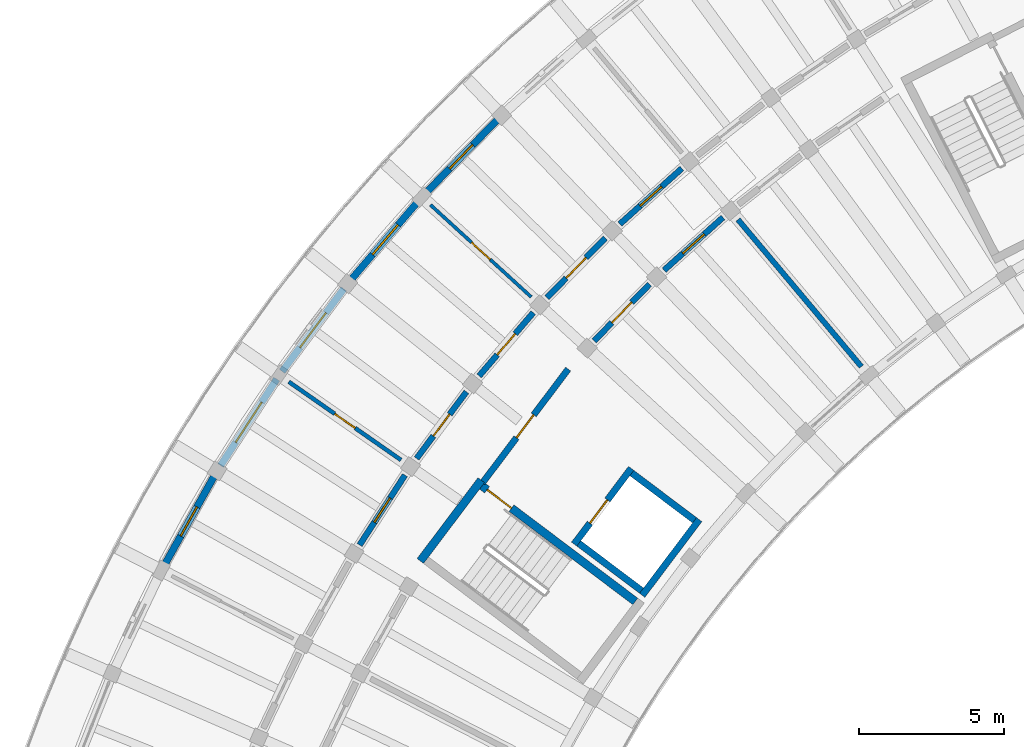
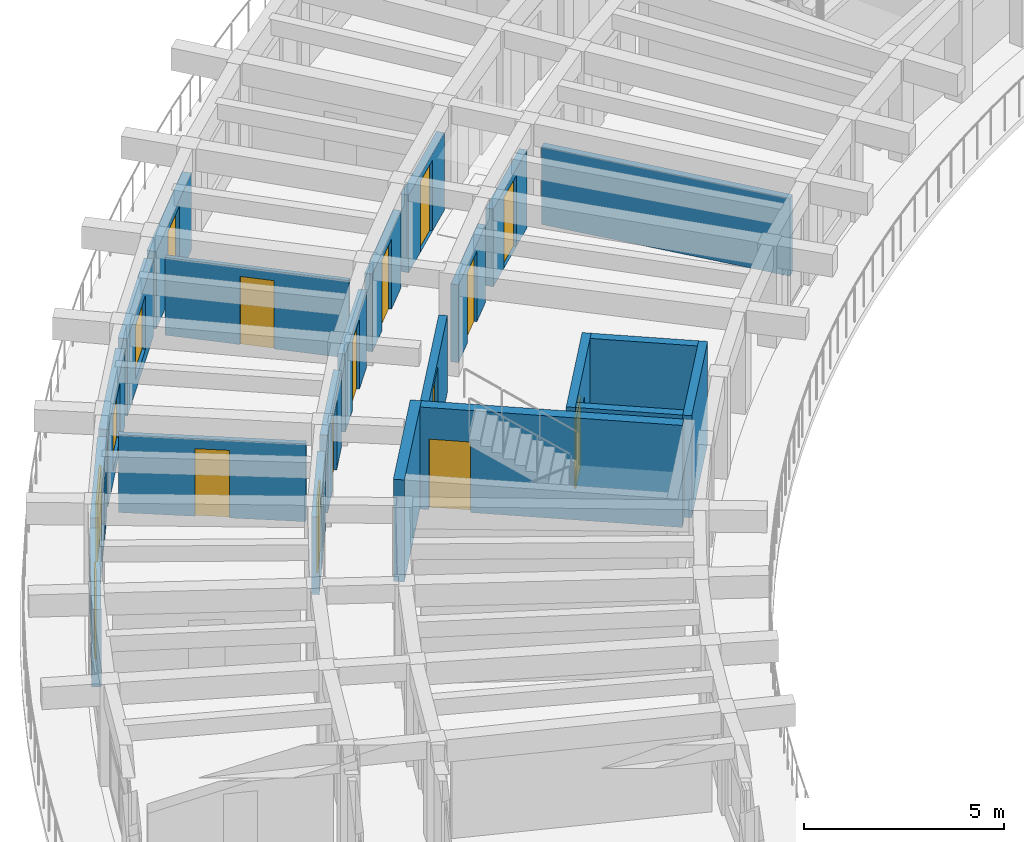
# One storey, part 47 of 83: 22 walls, 14 doors, 3 windows, 17 openings.
"""IFC4 building model written with IfcOpenShell, lengths in metres."""

import ifcopenshell
import ifcopenshell.guid

model = None  # the IFC model being written
_history = None  # IfcOwnerHistory: only IFC2X3 demands one
_inside = {}  # id of a spatial element -> (the spatial element, [elements in it])
_under = {}  # id of a project, library or spatial element -> (it, [spatial elements below it])
_declared = {}  # id of a project -> (the project, [libraries it declares])
_typed = {}  # id of a type object -> (the type object, [elements of that type])
_made_of = {}  # id of a material, layer set ... -> (it, [elements and type objects made of it])


def new_model(schema):
    """Start an empty IFC model of exactly this schema.

    Asked for "IFC4X3", IfcOpenShell would pick the latest addendum, in which some entities
    have other attributes; the version numbers below select the first issue.
    IFC2X3 requires an IfcOwnerHistory on every rooted entity: one is made here for all.
    """
    global model, _history
    if schema == "IFC4X3":
        model = ifcopenshell.file(schema_version=(4, 3, 0, 0))
    else:
        model = ifcopenshell.file(schema=schema)
    _inside.clear()
    _under.clear()
    _declared.clear()
    _typed.clear()
    _made_of.clear()
    _history = None
    if model.schema == "IFC2X3":
        org = make("IfcOrganization", Name="unknown")
        user = make(
            "IfcPersonAndOrganization",
            ThePerson=make("IfcPerson", FamilyName="unknown"),
            TheOrganization=org,
        )
        app = make(
            "IfcApplication",
            ApplicationDeveloper=org,
            Version="unknown",
            ApplicationFullName="unknown",
            ApplicationIdentifier="unknown",
        )
        _history = make(
            "IfcOwnerHistory",
            OwningUser=user,
            OwningApplication=app,
            ChangeAction="ADDED",
            CreationDate=0,
        )
    return model


def make(cls, **values):
    """One entity of the class cls with the attributes given. An attribute that is None is left unset."""
    return model.create_entity(
        cls, **{name: value for name, value in values.items() if value is not None}
    )


def rooted(cls, **values):
    """An entity with a GlobalId (a new one), such as an element, a storey or a relation."""
    return make(cls, GlobalId=ifcopenshell.guid.new(), OwnerHistory=_history, **values)


def si_unit(unit_type, name, prefix=None):
    """IfcSIUnit, for example si_unit("LENGTHUNIT", "METRE", prefix="MILLI")."""
    return make("IfcSIUnit", UnitType=unit_type, Prefix=prefix, Name=name)


def assignment(units):
    """IfcUnitAssignment: the units of a project."""
    return None if units is None else make("IfcUnitAssignment", Units=units)


def point(xyz):
    """IfcCartesianPoint."""
    return None if xyz is None else make("IfcCartesianPoint", Coordinates=xyz)


def direction(xyz):
    """IfcDirection."""
    return None if xyz is None else make("IfcDirection", DirectionRatios=xyz)


def frame(location, z_axis=None, x_axis=None):
    """IfcAxis2Placement3D, a coordinate frame: its origin and axes. An axis left out is left unset."""
    return make(
        "IfcAxis2Placement3D",
        Location=point(location),
        Axis=direction(z_axis),
        RefDirection=direction(x_axis),
    )


def frame_2d(location, x_axis=None):
    """IfcAxis2Placement2D, a coordinate frame in the plane: its origin and x axis."""
    return make(
        "IfcAxis2Placement2D", Location=point(location), RefDirection=direction(x_axis)
    )


def origin():
    """The frame at (0, 0, 0) with its axes left unset."""
    return frame((0.0, 0.0, 0.0))


def place(relative_to, where):
    """IfcLocalPlacement: puts the frame where relative to a parent placement (None: the world)."""
    return make(
        "IfcLocalPlacement", PlacementRelTo=relative_to, RelativePlacement=where
    )


def context(
    kind, dimensions, precision=None, world=None, true_north=None, identifier=None
):
    """IfcGeometricRepresentationContext, for example the 3D "Model" context."""
    return make(
        "IfcGeometricRepresentationContext",
        ContextIdentifier=identifier,
        ContextType=kind,
        CoordinateSpaceDimension=dimensions,
        Precision=precision,
        WorldCoordinateSystem=world,
        TrueNorth=true_north,
    )


def subcontext(parent, identifier, kind, view, scale=None):
    """IfcGeometricRepresentationSubContext, for example "Body" below "Model"."""
    return make(
        "IfcGeometricRepresentationSubContext",
        ContextIdentifier=identifier,
        ContextType=kind,
        ParentContext=parent,
        TargetScale=scale,
        TargetView=view,
    )


def project(units=None, contexts=None):
    """IfcProject with its units and contexts."""
    return rooted(
        "IfcProject",
        Name="project",
        RepresentationContexts=contexts,
        UnitsInContext=assignment(units),
    )


def spatial(cls, under=None, at=None, **own):
    """A site, building, storey or space (cls), placed at a placement, below another one or the project."""
    s = rooted(cls, ObjectPlacement=at, **own)
    if under is not None:
        _under.setdefault(under.id(), (under, []))[1].append(s)
    return s


def profile(cls, at=None, kind="AREA", **sizes):
    """A parametric profile (cls). Its sizes go by their IFC names, for example OverallWidth=200.0."""
    return make(cls, ProfileType=kind, Position=at, **sizes)


def rectangle(**sizes):
    """IfcRectangleProfileDef."""
    return profile("IfcRectangleProfileDef", **sizes)


def extrude(swept, where, along, depth):
    """IfcExtrudedAreaSolid: the profile swept, set in the frame where, extruded along a direction by depth."""
    return make(
        "IfcExtrudedAreaSolid",
        SweptArea=swept,
        Position=where,
        ExtrudedDirection=direction(along),
        Depth=depth,
    )


def shape(context_of_items, identifier, shape_type, items):
    """IfcShapeRepresentation: the items that make up one representation, for example the "Body"."""
    return make(
        "IfcShapeRepresentation",
        ContextOfItems=context_of_items,
        RepresentationIdentifier=identifier,
        RepresentationType=shape_type,
        Items=items,
    )


def material(Name=None, Category=None):
    """IfcMaterial."""
    return make("IfcMaterial", Name=Name, Category=Category)


def layer(
    of_material, thickness, ventilated=None, Name=None, Category=None, Priority=None
):
    """IfcMaterialLayer: one layer of a wall or slab, of a material (None: an air gap)."""
    return make(
        "IfcMaterialLayer",
        Material=of_material,
        LayerThickness=thickness,
        IsVentilated=ventilated,
        Name=Name,
        Category=Category,
        Priority=Priority,
    )


def layer_set(layers, Name=None):
    """IfcMaterialLayerSet."""
    return make("IfcMaterialLayerSet", MaterialLayers=layers, LayerSetName=Name)


def made_of(thing, what):
    """Note that an element or type object is made of a material, layer set ...; save() writes the relation."""
    if what is not None:
        _made_of.setdefault(what.id(), (what, []))[1].append(thing)
    return thing


def type_object(cls, material=None, **own):
    """A type object (cls), such as IfcWallType, which elements share."""
    return made_of(rooted(cls, **own), material)


def element(
    cls,
    number,
    at=None,
    inside=None,
    cuts=None,
    type_object=None,
    material=None,
    context=None,
    identifier="Body",
    shape_type=None,
    held_by="IfcProductDefinitionShape",
    body=None,
    shapes=None,
    **own,
):
    """One element of the class cls, such as IfcWall. Its Tag is "e" and its number.

    at: its placement. inside: the storey or other place that contains it. cuts: it is an
    opening in that element (IfcRelVoidsElement). A single representation is given by context,
    identifier, shape_type and body (its items); several are given by shapes. held_by: the class
    of the entity that holds the representations. save() writes the other relations.
    """
    e = rooted(cls, Tag="e%d" % number, ObjectPlacement=at, **own)
    if body is not None:
        shapes = [shape(context, identifier, shape_type, body)]
    if shapes is not None:
        e.Representation = make(held_by, Representations=shapes)
    if inside is not None:
        _inside.setdefault(inside.id(), (inside, []))[1].append(e)
    if cuts is not None:
        rooted(
            "IfcRelVoidsElement", RelatingBuildingElement=cuts, RelatedOpeningElement=e
        )
    if type_object is not None:
        _typed.setdefault(type_object.id(), (type_object, []))[1].append(e)
    return made_of(e, material)


def fill(opening, filler):
    """IfcRelFillsElement: the door or window that sits in an opening."""
    return rooted(
        "IfcRelFillsElement",
        RelatingOpeningElement=opening,
        RelatedBuildingElement=filler,
    )


def aggregate(whole, parts):
    """IfcRelAggregates: a whole, such as a stair, and the parts it consists of."""
    return rooted("IfcRelAggregates", RelatingObject=whole, RelatedObjects=parts)


def save(model, path):
    """Write the relations noted so far, then the file.

    IfcRelAggregates (storeys below a building ...), IfcRelContainedInSpatialStructure (elements
    in a storey), IfcRelDefinesByType, IfcRelAssociatesMaterial and IfcRelDeclares: one each for
    every whole, place, type object, material and project.
    """
    for whole, parts in _under.values():
        aggregate(whole, parts)
    for where, things in _inside.values():
        rooted(
            "IfcRelContainedInSpatialStructure",
            RelatedElements=things,
            RelatingStructure=where,
        )
    for kind, things in _typed.values():
        rooted("IfcRelDefinesByType", RelatedObjects=things, RelatingType=kind)
    for what, things in _made_of.values():
        rooted("IfcRelAssociatesMaterial", RelatedObjects=things, RelatingMaterial=what)
    for by, libraries in _declared.values():
        rooted("IfcRelDeclares", RelatingContext=by, RelatedDefinitions=libraries)
    model.write(path)


model = new_model("IFC4")

# Units and contexts
model_context = context("Model", 3, precision=1e-05, world=origin(), true_north=direction((0.0, 1.0)))
body_context = subcontext(model_context, "Body", "Model", "MODEL_VIEW")
ifc_project = project(units=[si_unit("LENGTHUNIT", "METRE"), si_unit("AREAUNIT", "SQUARE_METRE"), si_unit("VOLUMEUNIT", "CUBIC_METRE"), si_unit("PLANEANGLEUNIT", "RADIAN"), si_unit("MASSUNIT", "GRAM", prefix="KILO")], contexts=[model_context])

# Site, building, storey
site_placement = place(None, origin())
site = spatial("IfcSite", under=ifc_project, at=site_placement, CompositionType="ELEMENT")
building_placement = place(site_placement, origin())
building = spatial("IfcBuilding", under=site, at=building_placement, Name="Tanwirah Colonnade Gardens", CompositionType="ELEMENT")
storey_placement = place(building_placement, frame((0.0, 0.0, 25.639892578125)))
storey = spatial("IfcBuildingStorey", under=building, at=storey_placement, Name="L07", CompositionType="ELEMENT", Elevation=25.639892578125)

# Wall, opening, door
ifc_material_1 = material(Name="Limestone architectural precast concrete C40/50", Category="masonry")
ifc_layer_1 = layer(ifc_material_1, 0.2451171875)
ifc_layer_set_1 = layer_set([ifc_layer_1], Name="Limestone architectural precast concrete C40/50")
wall_type_1 = type_object("IfcWallType", Name="EW-PC245", PredefinedType="SOLIDWALL", material=ifc_layer_set_1)
wall_1_placement = place(storey_placement, frame((23.645751953125, 103.03955078125, 0.0), z_axis=(0.0, 0.0, 1.0), x_axis=(-0.698796064424, -0.715320949187, 0.0)))
wall_1 = element("IfcWall", 1, at=wall_1_placement, inside=storey, type_object=wall_type_1, Name="Block A L07 OUT Precast Facade Wall 10", PredefinedType="SOLIDWALL", context=body_context, shape_type="SweptSolid", body=[
    extrude(rectangle(XDim=3.5458984375, YDim=0.2451171875, at=frame_2d((1.77294921875, 0.0))), origin(), (0.0, 0.0, 1.0), 2.355224609375),
])
opening_1_placement = place(wall_1_placement, frame((1.202880859375, 0.0, 0.0)))
opening_1 = element("IfcOpeningElement", 2, at=opening_1_placement, cuts=wall_1, Name="Opening L07-ED034", PredefinedType="OPENING", context=body_context, shape_type="SweptSolid", body=[
    extrude(rectangle(XDim=1.139892578125, YDim=2.159912109375, at=frame_2d((0.56982421875, 1.080078125))), frame((0.0, 0.132568359375, 0.0), z_axis=(0.0, -1.0, 0.0), x_axis=(1.0, 0.0, 0.0)), (0.0, 0.0, 1.0), 0.26513671875),
])
ifc_material_2 = material(Name="Bronze aluminium glazed balcony door", Category="aluminium")
door_type_1 = type_object("IfcDoorType", Name="ED-BAL114", OperationType="NOTDEFINED", PredefinedType="DOOR", material=ifc_material_2)
door_1_placement = place(opening_1_placement, origin())
door_1 = element("IfcDoor", 3, at=door_1_placement, inside=storey, type_object=door_type_1, Name="Balcony glazed door L07-ED034", OperationType="SINGLE_SWING_RIGHT", OverallHeight=2.159912109375, OverallWidth=1.139892578125, PredefinedType="DOOR", context=body_context, shape_type="SweptSolid", body=[
    extrude(rectangle(XDim=1.139892578125, YDim=2.159912109375, at=frame_2d((0.56982421875, 1.080078125))), frame((0.0, 0.02490234375, 0.0), z_axis=(0.0, -1.0, 0.0), x_axis=(1.0, 0.0, 0.0)), (0.0, 0.0, 1.0), 0.050048828125),
])
fill(opening_1, door_1)

# Wall, opening, window
wall_2_placement = place(storey_placement, frame((20.9521484375, 100.267333984375, 0.0), z_axis=(0.0, 0.0, 1.0), x_axis=(-0.650173106396, -0.75978610919, 0.0)))
wall_2 = element("IfcWall", 4, at=wall_2_placement, inside=storey, type_object=wall_type_1, Name="Block A L07 OUT Precast Facade Wall 11", PredefinedType="SOLIDWALL", context=body_context, shape_type="SweptSolid", body=[
    extrude(rectangle(XDim=3.5458984375, YDim=0.2451171875, at=frame_2d((1.77294921875, 0.0))), origin(), (0.0, 0.0, 1.0), 2.355224609375),
])
opening_2_placement = place(wall_2_placement, frame((1.097900390625, 0.0, 0.35009765625)))
opening_2 = element("IfcOpeningElement", 5, at=opening_2_placement, cuts=wall_2, Name="Opening WIN-T05", PredefinedType="OPENING", context=body_context, shape_type="SweptSolid", body=[
    extrude(rectangle(XDim=1.35009765625, YDim=1.64990234375, at=frame_2d((0.675048828125, 0.824951171875))), frame((0.0, 0.132568359375, 0.0), z_axis=(0.0, -1.0, 0.0), x_axis=(1.0, 0.0, 0.0)), (0.0, 0.0, 1.0), 0.26513671875),
])
ifc_material_3 = material(Name="Thermally broken bronze aluminium and solar low-E double glazing", Category="aluminium")
window_type_1 = type_object("IfcWindowType", Name="WIN-T05", PartitioningType="DOUBLE_PANEL_VERTICAL", PredefinedType="WINDOW", material=ifc_material_3)
window_1_placement = place(opening_2_placement, origin())
window_1 = element("IfcWindow", 6, at=window_1_placement, inside=storey, type_object=window_type_1, Name="Facade window A-L07-OUT-11", OverallHeight=1.64990234375, OverallWidth=1.35009765625, PartitioningType="SINGLE_PANEL", PredefinedType="WINDOW", context=body_context, shape_type="SweptSolid", body=[
    extrude(rectangle(XDim=1.35009765625, YDim=1.64990234375, at=frame_2d((0.675048828125, 0.824951171875))), frame((0.0, 0.030029296875, 0.0), z_axis=(0.0, -1.0, 0.0), x_axis=(1.0, 0.0, 0.0)), (0.0, 0.0, 1.0), 0.06005859375),
])
fill(opening_2, window_1)

wall_3_placement = place(storey_placement, frame((18.3720703125, 97.22998046875, 0.0), z_axis=(0.0, 0.0, 1.0), x_axis=(-0.598732380635, -0.800949147186, 0.0)))
wall_3 = element("IfcWall", 7, at=wall_3_placement, inside=storey, type_object=wall_type_1, Name="Block A L07 OUT Precast Facade Wall 12", PredefinedType="SOLIDWALL", context=body_context, shape_type="SweptSolid", body=[
    extrude(rectangle(XDim=3.5458984375, YDim=0.2451171875, at=frame_2d((1.77294921875, 0.0))), origin(), (0.0, 0.0, 1.0), 2.355224609375),
])
opening_3_placement = place(wall_3_placement, frame((1.022705078125, 0.0, 0.35009765625)))
opening_3 = element("IfcOpeningElement", 8, at=opening_3_placement, cuts=wall_3, Name="Opening WIN-T08", PredefinedType="OPENING", context=body_context, shape_type="SweptSolid", body=[
    extrude(rectangle(XDim=1.5, YDim=1.699951171875, at=frame_2d((0.75, 0.85009765625))), frame((0.0, 0.132568359375, 0.0), z_axis=(0.0, -1.0, 0.0), x_axis=(1.0, 0.0, 0.0)), (0.0, 0.0, 1.0), 0.26513671875),
])
window_type_2 = type_object("IfcWindowType", Name="WIN-T08", PartitioningType="DOUBLE_PANEL_VERTICAL", PredefinedType="WINDOW", material=ifc_material_3)
window_2_placement = place(opening_3_placement, origin())
window_2 = element("IfcWindow", 9, at=window_2_placement, inside=storey, type_object=window_type_2, Name="Facade window A-L07-OUT-12", OverallHeight=1.699951171875, OverallWidth=1.5, PartitioningType="SINGLE_PANEL", PredefinedType="WINDOW", context=body_context, shape_type="SweptSolid", body=[
    extrude(rectangle(XDim=1.5, YDim=1.699951171875, at=frame_2d((0.75, 0.85009765625))), frame((0.0, 0.030029296875, 0.0), z_axis=(0.0, -1.0, 0.0), x_axis=(1.0, 0.0, 0.0)), (0.0, 0.0, 1.0), 0.06005859375),
])
fill(opening_3, window_2)

wall_4_placement = place(storey_placement, frame((16.066162109375, 94.127685546875, 0.0), z_axis=(0.0, 0.0, 1.0), x_axis=(-0.544649472572, -0.838663789624, 0.0)))
wall_4 = element("IfcWall", 10, at=wall_4_placement, inside=storey, type_object=wall_type_1, Name="Block A L07 OUT Precast Facade Wall 13", PredefinedType="SOLIDWALL", context=body_context, shape_type="SweptSolid", body=[
    extrude(rectangle(XDim=3.545654296875, YDim=0.2451171875, at=frame_2d((1.77294921875, 0.0))), origin(), (0.0, 0.0, 1.0), 2.355224609375),
])
opening_4_placement = place(wall_4_placement, frame((0.94775390625, 0.0, 0.35009765625)))
opening_4 = element("IfcOpeningElement", 11, at=opening_4_placement, cuts=wall_4, Name="Opening WIN-T11", PredefinedType="OPENING", context=body_context, shape_type="SweptSolid", body=[
    extrude(rectangle(XDim=1.64990234375, YDim=1.800048828125, at=frame_2d((0.824951171875, 0.89990234375))), frame((0.0, 0.132568359375, 0.0), z_axis=(0.0, -1.0, 0.0), x_axis=(1.0, 0.0, 0.0)), (0.0, 0.0, 1.0), 0.26513671875),
])
window_type_3 = type_object("IfcWindowType", Name="WIN-T11", PartitioningType="DOUBLE_PANEL_VERTICAL", PredefinedType="WINDOW", material=ifc_material_3)
window_3_placement = place(opening_4_placement, origin())
window_3 = element("IfcWindow", 12, at=window_3_placement, inside=storey, type_object=window_type_3, Name="Facade window A-L07-OUT-13", OverallHeight=1.800048828125, OverallWidth=1.64990234375, PartitioningType="SINGLE_PANEL", PredefinedType="WINDOW", context=body_context, shape_type="SweptSolid", body=[
    extrude(rectangle(XDim=1.64990234375, YDim=1.800048828125, at=frame_2d((0.824951171875, 0.89990234375))), frame((0.0, 0.030029296875, 0.0), z_axis=(0.0, -1.0, 0.0), x_axis=(1.0, 0.0, 0.0)), (0.0, 0.0, 1.0), 0.06005859375),
])
fill(opening_4, window_3)

# Wall, opening, door
wall_5_placement = place(storey_placement, frame((13.907958984375, 90.77734375, 0.0), z_axis=(0.0, 0.0, 1.0), x_axis=(-0.488265756403, -0.872694993182, 0.0)))
wall_5 = element("IfcWall", 13, at=wall_5_placement, inside=storey, type_object=wall_type_1, Name="Block A L07 OUT Precast Facade Wall 14", PredefinedType="SOLIDWALL", context=body_context, shape_type="SweptSolid", body=[
    extrude(rectangle(XDim=3.545654296875, YDim=0.2451171875, at=frame_2d((1.77294921875, 0.0))), origin(), (0.0, 0.0, 1.0), 2.355224609375),
])
opening_5_placement = place(wall_5_placement, frame((1.202880859375, 0.0, 0.0)))
opening_5 = element("IfcOpeningElement", 14, at=opening_5_placement, cuts=wall_5, Name="Opening L07-ED035", PredefinedType="OPENING", context=body_context, shape_type="SweptSolid", body=[
    extrude(rectangle(XDim=1.139892578125, YDim=2.159912109375, at=frame_2d((0.56982421875, 1.080078125))), frame((0.0, 0.132568359375, 0.0), z_axis=(0.0, -1.0, 0.0), x_axis=(1.0, 0.0, 0.0)), (0.0, 0.0, 1.0), 0.26513671875),
])
door_2_placement = place(opening_5_placement, origin())
door_2 = element("IfcDoor", 15, at=door_2_placement, inside=storey, type_object=door_type_1, Name="Balcony glazed door L07-ED035", OperationType="SINGLE_SWING_RIGHT", OverallHeight=2.159912109375, OverallWidth=1.139892578125, PredefinedType="DOOR", context=body_context, shape_type="SweptSolid", body=[
    extrude(rectangle(XDim=1.139892578125, YDim=2.159912109375, at=frame_2d((0.56982421875, 1.080078125))), frame((0.0, 0.02490234375, 0.0), z_axis=(0.0, -1.0, 0.0), x_axis=(1.0, 0.0, 0.0)), (0.0, 0.0, 1.0), 0.050048828125),
])
fill(opening_5, door_2)

ifc_material_4 = material(Name="Precast concrete C40/50", Category="concrete")
ifc_layer_2 = layer(ifc_material_4, 0.205078125)
ifc_layer_set_2 = layer_set([ifc_layer_2], Name="Precast concrete C40/50")
wall_type_2 = type_object("IfcWallType", Name="IW-CORR205", PredefinedType="PARTITIONING", material=ifc_layer_set_2)
wall_6_placement = place(storey_placement, frame((29.996826171875, 101.37109375, 0.0), z_axis=(0.0, 0.0, 1.0), x_axis=(-0.744433521088, -0.667696587291, 0.0)))
wall_6 = element("IfcWall", 16, at=wall_6_placement, inside=storey, type_object=wall_type_2, Name="Block A L07 OUT Corridor Wall 9", PredefinedType="PARTITIONING", context=body_context, shape_type="SweptSolid", body=[
    extrude(rectangle(XDim=2.86328125, YDim=0.205078125, at=frame_2d((1.431640625, 0.0))), origin(), (0.0, 0.0, 1.0), 2.3701171875),
])
opening_6_placement = place(wall_6_placement, frame((0.9365234375, 0.0, 0.0)))
opening_6 = element("IfcOpeningElement", 17, at=opening_6_placement, cuts=wall_6, Name="Opening L07-AD536", PredefinedType="OPENING", context=body_context, shape_type="SweptSolid", body=[
    extrude(rectangle(XDim=0.989990234375, YDim=2.159912109375, at=frame_2d((0.4951171875, 1.080078125))), frame((0.0, 0.112548828125, 0.0), z_axis=(0.0, -1.0, 0.0), x_axis=(1.0, 0.0, 0.0)), (0.0, 0.0, 1.0), 0.22509765625),
])
ifc_material_5 = material(Name="Solid oak fire-resisting apartment entrance door")
door_type_2 = type_object("IfcDoorType", Name="ID-FLT099", OperationType="NOTDEFINED", PredefinedType="DOOR", material=ifc_material_5)
door_3_placement = place(opening_6_placement, origin())
door_3 = element("IfcDoor", 18, at=door_3_placement, inside=storey, type_object=door_type_2, Name="Apartment corridor door L07-AD536", OperationType="SINGLE_SWING_LEFT", OverallHeight=2.159912109375, OverallWidth=0.989990234375, PredefinedType="DOOR", context=body_context, shape_type="SweptSolid", body=[
    extrude(rectangle(XDim=0.989990234375, YDim=2.159912109375, at=frame_2d((0.4951171875, 1.080078125))), frame((0.0, 0.02490234375, 0.0), z_axis=(0.0, -1.0, 0.0), x_axis=(1.0, 0.0, 0.0)), (0.0, 0.0, 1.0), 0.050048828125),
])
fill(opening_6, door_3)

wall_7_placement = place(storey_placement, frame((31.410888671875, 99.685791015625, 0.0), z_axis=(0.0, 0.0, 1.0), x_axis=(-0.744418559135, -0.667713268413, 0.0)))
wall_7 = element("IfcWall", 19, at=wall_7_placement, inside=storey, type_object=wall_type_2, Name="Block A L07 IN Corridor Wall 9", PredefinedType="PARTITIONING", context=body_context, shape_type="SweptSolid", body=[
    extrude(rectangle(XDim=2.71826171875, YDim=0.205078125, at=frame_2d((1.359130859375, 0.0))), origin(), (0.0, 0.0, 1.0), 2.3701171875),
])
opening_7_placement = place(wall_7_placement, frame((0.864013671875, 0.0, 0.0)))
opening_7 = element("IfcOpeningElement", 20, at=opening_7_placement, cuts=wall_7, Name="Opening L07-AD537", PredefinedType="OPENING", context=body_context, shape_type="SweptSolid", body=[
    extrude(rectangle(XDim=0.989990234375, YDim=2.159912109375, at=frame_2d((0.4951171875, 1.080078125))), frame((0.0, 0.112548828125, 0.0), z_axis=(0.0, -1.0, 0.0), x_axis=(1.0, 0.0, 0.0)), (0.0, 0.0, 1.0), 0.22509765625),
])
door_4_placement = place(opening_7_placement, origin())
door_4 = element("IfcDoor", 21, at=door_4_placement, inside=storey, type_object=door_type_2, Name="Apartment corridor door L07-AD537", OperationType="SINGLE_SWING_RIGHT", OverallHeight=2.159912109375, OverallWidth=0.989990234375, PredefinedType="DOOR", context=body_context, shape_type="SweptSolid", body=[
    extrude(rectangle(XDim=0.989990234375, YDim=2.159912109375, at=frame_2d((0.4951171875, 1.080078125))), frame((0.0, 0.02490234375, 0.0), z_axis=(0.0, -1.0, 0.0), x_axis=(1.0, 0.0, 0.0)), (0.0, 0.0, 1.0), 0.050048828125),
])
fill(opening_7, door_4)

wall_8_placement = place(storey_placement, frame((27.360107421875, 98.975341796875, 0.0), z_axis=(0.0, 0.0, 1.0), x_axis=(-0.698787219683, -0.715329589496, 0.0)))
wall_8 = element("IfcWall", 22, at=wall_8_placement, inside=storey, type_object=wall_type_2, Name="Block A L07 OUT Corridor Wall 10", PredefinedType="PARTITIONING", context=body_context, shape_type="SweptSolid", body=[
    extrude(rectangle(XDim=2.863037109375, YDim=0.205078125, at=frame_2d((1.431640625, 0.0))), origin(), (0.0, 0.0, 1.0), 2.3701171875),
])
opening_8_placement = place(wall_8_placement, frame((0.946533203125, 0.0, 0.0)))
opening_8 = element("IfcOpeningElement", 23, at=opening_8_placement, cuts=wall_8, Name="Opening L07-AD538", PredefinedType="OPENING", context=body_context, shape_type="SweptSolid", body=[
    extrude(rectangle(XDim=0.969970703125, YDim=2.14990234375, at=frame_2d((0.48486328125, 1.074951171875))), frame((0.0, 0.112548828125, 0.0), z_axis=(0.0, -1.0, 0.0), x_axis=(1.0, 0.0, 0.0)), (0.0, 0.0, 1.0), 0.22509765625),
])
door_type_3 = type_object("IfcDoorType", Name="ID-FLT097", OperationType="NOTDEFINED", PredefinedType="DOOR", material=ifc_material_5)
door_5_placement = place(opening_8_placement, origin())
door_5 = element("IfcDoor", 24, at=door_5_placement, inside=storey, type_object=door_type_3, Name="Apartment corridor door L07-AD538", OperationType="SINGLE_SWING_RIGHT", OverallHeight=2.14990234375, OverallWidth=0.969970703125, PredefinedType="DOOR", context=body_context, shape_type="SweptSolid", body=[
    extrude(rectangle(XDim=0.969970703125, YDim=2.14990234375, at=frame_2d((0.48486328125, 1.074951171875))), frame((0.0, 0.02490234375, 0.0), z_axis=(0.0, -1.0, 0.0), x_axis=(1.0, 0.0, 0.0)), (0.0, 0.0, 1.0), 0.050048828125),
])
fill(opening_8, door_5)

wall_9_placement = place(storey_placement, frame((28.88232421875, 97.38671875, 0.0), z_axis=(0.0, 0.0, 1.0), x_axis=(-0.698840007829, -0.715278018296, 0.0)))
wall_9 = element("IfcWall", 25, at=wall_9_placement, inside=storey, type_object=wall_type_2, Name="Block A L07 IN Corridor Wall 10", PredefinedType="PARTITIONING", context=body_context, shape_type="SweptSolid", body=[
    extrude(rectangle(XDim=2.718017578125, YDim=0.205078125, at=frame_2d((1.35888671875, 0.0))), origin(), (0.0, 0.0, 1.0), 2.3701171875),
])
opening_9_placement = place(wall_9_placement, frame((0.8740234375, 0.0, 0.0)))
opening_9 = element("IfcOpeningElement", 26, at=opening_9_placement, cuts=wall_9, Name="Opening L07-AD539", PredefinedType="OPENING", context=body_context, shape_type="SweptSolid", body=[
    extrude(rectangle(XDim=0.969970703125, YDim=2.14990234375, at=frame_2d((0.48486328125, 1.074951171875))), frame((0.0, 0.112548828125, 0.0), z_axis=(0.0, -1.0, 0.0), x_axis=(1.0, 0.0, 0.0)), (0.0, 0.0, 1.0), 0.22509765625),
])
door_6_placement = place(opening_9_placement, origin())
door_6 = element("IfcDoor", 27, at=door_6_placement, inside=storey, type_object=door_type_3, Name="Apartment corridor door L07-AD539", OperationType="SINGLE_SWING_LEFT", OverallHeight=2.14990234375, OverallWidth=0.969970703125, PredefinedType="DOOR", context=body_context, shape_type="SweptSolid", body=[
    extrude(rectangle(XDim=0.969970703125, YDim=2.14990234375, at=frame_2d((0.48486328125, 1.074951171875))), frame((0.0, 0.02490234375, 0.0), z_axis=(0.0, -1.0, 0.0), x_axis=(1.0, 0.0, 0.0)), (0.0, 0.0, 1.0), 0.050048828125),
])
fill(opening_9, door_6)

wall_10_placement = place(storey_placement, frame((24.88720703125, 96.4111328125, 0.0), z_axis=(0.0, 0.0, 1.0), x_axis=(-0.650194272684, -0.759767996015, 0.0)))
wall_10 = element("IfcWall", 28, at=wall_10_placement, inside=storey, type_object=wall_type_2, Name="Block A L07 OUT Corridor Wall 11", PredefinedType="PARTITIONING", context=body_context, shape_type="SweptSolid", body=[
    extrude(rectangle(XDim=2.863037109375, YDim=0.205078125, at=frame_2d((1.431640625, 0.0))), origin(), (0.0, 0.0, 1.0), 2.3701171875),
])
opening_10_placement = place(wall_10_placement, frame((0.95654296875, 0.0, 0.0)))
opening_10 = element("IfcOpeningElement", 29, at=opening_10_placement, cuts=wall_10, Name="Opening L07-AD541", PredefinedType="OPENING", context=body_context, shape_type="SweptSolid", body=[
    extrude(rectangle(XDim=0.949951171875, YDim=2.1298828125, at=frame_2d((0.47509765625, 1.06494140625))), frame((0.0, 0.112548828125, 0.0), z_axis=(0.0, -1.0, 0.0), x_axis=(1.0, 0.0, 0.0)), (0.0, 0.0, 1.0), 0.22509765625),
])
door_type_4 = type_object("IfcDoorType", Name="ID-FLT095", OperationType="NOTDEFINED", PredefinedType="DOOR", material=ifc_material_5)
door_7_placement = place(opening_10_placement, origin())
door_7 = element("IfcDoor", 30, at=door_7_placement, inside=storey, type_object=door_type_4, Name="Apartment corridor door L07-AD541", OperationType="SINGLE_SWING_LEFT", OverallHeight=2.1298828125, OverallWidth=0.949951171875, PredefinedType="DOOR", context=body_context, shape_type="SweptSolid", body=[
    extrude(rectangle(XDim=0.949951171875, YDim=2.1298828125, at=frame_2d((0.47509765625, 1.06494140625))), frame((0.0, 0.02490234375, 0.0), z_axis=(0.0, -1.0, 0.0), x_axis=(1.0, 0.0, 0.0)), (0.0, 0.0, 1.0), 0.050048828125),
])
fill(opening_10, door_7)

wall_11_placement = place(storey_placement, frame((22.588623046875, 93.689453125, 0.0), z_axis=(0.0, 0.0, 1.0), x_axis=(-0.598757763243, -0.800930172335, 0.0)))
wall_11 = element("IfcWall", 31, at=wall_11_placement, inside=storey, type_object=wall_type_2, Name="Block A L07 OUT Corridor Wall 12", PredefinedType="PARTITIONING", context=body_context, shape_type="SweptSolid", body=[
    extrude(rectangle(XDim=2.86328125, YDim=0.205078125, at=frame_2d((1.431640625, 0.0))), origin(), (0.0, 0.0, 1.0), 2.3701171875),
])
opening_11_placement = place(wall_11_placement, frame((0.966552734375, 0.0, 0.0)))
opening_11 = element("IfcOpeningElement", 32, at=opening_11_placement, cuts=wall_11, Name="Opening L07-AD542", PredefinedType="OPENING", context=body_context, shape_type="SweptSolid", body=[
    extrude(rectangle(XDim=0.929931640625, YDim=2.1201171875, at=frame_2d((0.46484375, 1.06005859375))), frame((0.0, 0.112548828125, 0.0), z_axis=(0.0, -1.0, 0.0), x_axis=(1.0, 0.0, 0.0)), (0.0, 0.0, 1.0), 0.22509765625),
])
door_type_5 = type_object("IfcDoorType", Name="ID-FLT093", OperationType="NOTDEFINED", PredefinedType="DOOR", material=ifc_material_5)
door_8_placement = place(opening_11_placement, origin())
door_8 = element("IfcDoor", 33, at=door_8_placement, inside=storey, type_object=door_type_5, Name="Apartment corridor door L07-AD542", OperationType="SINGLE_SWING_RIGHT", OverallHeight=2.1201171875, OverallWidth=0.929931640625, PredefinedType="DOOR", context=body_context, shape_type="SweptSolid", body=[
    extrude(rectangle(XDim=0.929931640625, YDim=2.1201171875, at=frame_2d((0.46484375, 1.06005859375))), frame((0.0, 0.02490234375, 0.0), z_axis=(0.0, -1.0, 0.0), x_axis=(1.0, 0.0, 0.0)), (0.0, 0.0, 1.0), 0.050048828125),
])
fill(opening_11, door_8)

wall_12_placement = place(storey_placement, frame((20.47412109375, 90.822265625, 0.0), z_axis=(0.0, 0.0, 1.0), x_axis=(-0.544643612649, -0.838667595178, 0.0)))
wall_12 = element("IfcWall", 34, at=wall_12_placement, inside=storey, type_object=wall_type_2, Name="Block A L07 OUT Corridor Wall 13", PredefinedType="PARTITIONING", context=body_context, shape_type="SweptSolid", body=[
    extrude(rectangle(XDim=2.863037109375, YDim=0.205078125, at=frame_2d((1.431640625, 0.0))), origin(), (0.0, 0.0, 1.0), 2.3701171875),
])
opening_12_placement = place(wall_12_placement, frame((0.9365234375, 0.0, 0.0)))
opening_12 = element("IfcOpeningElement", 35, at=opening_12_placement, cuts=wall_12, Name="Opening L07-AD544", PredefinedType="OPENING", context=body_context, shape_type="SweptSolid", body=[
    extrude(rectangle(XDim=0.989990234375, YDim=2.159912109375, at=frame_2d((0.4951171875, 1.080078125))), frame((0.0, 0.112548828125, 0.0), z_axis=(0.0, -1.0, 0.0), x_axis=(1.0, 0.0, 0.0)), (0.0, 0.0, 1.0), 0.22509765625),
])
door_9_placement = place(opening_12_placement, origin())
door_9 = element("IfcDoor", 36, at=door_9_placement, inside=storey, type_object=door_type_2, Name="Apartment corridor door L07-AD544", OperationType="SINGLE_SWING_LEFT", OverallHeight=2.159912109375, OverallWidth=0.989990234375, PredefinedType="DOOR", context=body_context, shape_type="SweptSolid", body=[
    extrude(rectangle(XDim=0.989990234375, YDim=2.159912109375, at=frame_2d((0.4951171875, 1.080078125))), frame((0.0, 0.02490234375, 0.0), z_axis=(0.0, -1.0, 0.0), x_axis=(1.0, 0.0, 0.0)), (0.0, 0.0, 1.0), 0.050048828125),
])
fill(opening_12, door_9)

# Wall
ifc_layer_3 = layer(ifc_material_4, 0.18505859375)
ifc_layer_set_3 = layer_set([ifc_layer_3], Name="Precast concrete C40/50")
wall_type_3 = type_object("IfcWallType", Name="IW-DEM185", PredefinedType="PARTITIONING", material=ifc_layer_set_3)
wall_13_placement = place(storey_placement, frame((36.1708984375, 94.55712890625, 0.0), z_axis=(0.0, 0.0, 1.0), x_axis=(-0.642789470807, 0.766042881449, 0.0)))
element("IfcWall", 37, at=wall_13_placement, inside=storey, type_object=wall_type_3, Name="Block A L07 Inner Radial Partition 8", PredefinedType="PARTITIONING", context=body_context, shape_type="SweptSolid", body=[
    extrude(rectangle(XDim=6.60009765625, YDim=0.18505859375, at=frame_2d((3.300048828125, 0.0))), origin(), (0.0, 0.0, 1.0), 2.3701171875),
])

# Wall, opening, door
ifc_material_6 = material(Name="Autoclaved aerated masonry blockwork", Category="masonry")
ifc_layer_4 = layer(ifc_material_6, 0.219970703125)
ifc_layer_set_4 = layer_set([ifc_layer_4], Name="Autoclaved aerated masonry blockwork")
wall_type_4 = type_object("IfcWallType", Name="IW-FFL220", PredefinedType="PARTITIONING", material=ifc_layer_set_4)
wall_14_placement = place(storey_placement, frame((23.138916015625, 90.55517578125, 0.0), z_axis=(0.0, 0.0, 1.0), x_axis=(0.601792209296, 0.79865270101, 0.0)))
wall_14 = element("IfcWall", 38, at=wall_14_placement, inside=storey, type_object=wall_type_4, Name="CORE-A2 L07 Enclosed Lobby Fire Wall", PredefinedType="PARTITIONING", context=body_context, shape_type="SweptSolid", body=[
    extrude(rectangle(XDim=4.89990234375, YDim=0.219970703125, at=frame_2d((2.449951171875, 0.0))), origin(), (0.0, 0.0, 1.0), 2.340087890625),
])
opening_13_placement = place(wall_14_placement, frame((1.949951171875, 0.0, 0.0)))
opening_13 = element("IfcOpeningElement", 39, at=opening_13_placement, cuts=wall_14, Name="Opening L07-LD057", PredefinedType="OPENING", context=body_context, shape_type="SweptSolid", body=[
    extrude(rectangle(XDim=0.97998046875, YDim=2.139892578125, at=frame_2d((0.489990234375, 1.06982421875))), frame((0.0, 0.119873046875, 0.0), z_axis=(0.0, -1.0, 0.0), x_axis=(1.0, 0.0, 0.0)), (0.0, 0.0, 1.0), 0.239990234375),
])
ifc_material_7 = material(Name="Acoustic fire-resisting lobby door")
door_type_6 = type_object("IfcDoorType", Name="ID-FFL098", OperationType="NOTDEFINED", PredefinedType="DOOR", material=ifc_material_7)
door_10_placement = place(opening_13_placement, origin())
door_10 = element("IfcDoor", 40, at=door_10_placement, inside=storey, type_object=door_type_6, Name="CORE-A2 L07 Lobby Fire Door L07-LD057", OperationType="SINGLE_SWING_RIGHT", OverallHeight=2.139892578125, OverallWidth=0.97998046875, PredefinedType="DOOR", context=body_context, shape_type="SweptSolid", body=[
    extrude(rectangle(XDim=0.97998046875, YDim=2.139892578125, at=frame_2d((0.489990234375, 1.06982421875))), frame((0.0, 0.02490234375, 0.0), z_axis=(0.0, -1.0, 0.0), x_axis=(1.0, 0.0, 0.0)), (0.0, 0.0, 1.0), 0.050048828125),
])
fill(opening_13, door_10)

ifc_material_8 = material(Name="Acoustic gypsum stud partition")
ifc_layer_5 = layer(ifc_material_8, 0.114990234375)
ifc_layer_set_5 = layer_set([ifc_layer_5], Name="Acoustic gypsum stud partition")
wall_type_5 = type_object("IfcWallType", Name="IW-INT115", PredefinedType="PARTITIONING", material=ifc_layer_set_5)
wall_15_placement = place(storey_placement, frame((24.819580078125, 96.947021484375, 0.0), z_axis=(0.0, 0.0, 1.0), x_axis=(-0.737934199263, 0.674872667663, 0.0)))
wall_15 = element("IfcWall", 41, at=wall_15_placement, inside=storey, type_object=wall_type_5, Name="Block A L07 Radial Partition 10", PredefinedType="PARTITIONING", context=body_context, shape_type="SweptSolid", body=[
    extrude(rectangle(XDim=4.699951171875, YDim=0.114990234375, at=frame_2d((2.35009765625, 0.0))), origin(), (0.0, 0.0, 1.0), 2.3701171875),
])
opening_14_placement = place(wall_15_placement, frame((1.9150390625, 0.0, 0.0)))
opening_14 = element("IfcOpeningElement", 42, at=opening_14_placement, cuts=wall_15, Name="Opening L07-RD540", PredefinedType="OPENING", context=body_context, shape_type="SweptSolid", body=[
    extrude(rectangle(XDim=0.8701171875, YDim=2.080078125, at=frame_2d((0.43505859375, 1.0400390625))), frame((0.0, 0.0673828125, 0.0), z_axis=(0.0, -1.0, 0.0), x_axis=(1.0, 0.0, 0.0)), (0.0, 0.0, 1.0), 0.135009765625),
])
ifc_material_9 = material(Name="Painted hardwood study door", Category="wood")
door_type_7 = type_object("IfcDoorType", Name="ID-RM087", OperationType="NOTDEFINED", PredefinedType="DOOR", material=ifc_material_9)
door_11_placement = place(opening_14_placement, origin())
door_11 = element("IfcDoor", 43, at=door_11_placement, inside=storey, type_object=door_type_7, Name="Internal apartment door L07-RD540", OperationType="SINGLE_SWING_RIGHT", OverallHeight=2.080078125, OverallWidth=0.8701171875, PredefinedType="DOOR", context=body_context, shape_type="SweptSolid", body=[
    extrude(rectangle(XDim=0.8701171875, YDim=2.080078125, at=frame_2d((0.43505859375, 1.0400390625))), frame((0.0, 0.02490234375, 0.0), z_axis=(0.0, -1.0, 0.0), x_axis=(1.0, 0.0, 0.0)), (0.0, 0.0, 1.0), 0.050048828125),
])
fill(opening_14, door_11)

ifc_material_10 = material(Name="Water-resistant acoustic plumbing partition")
ifc_layer_6 = layer(ifc_material_10, 0.139892578125)
ifc_layer_set_6 = layer_set([ifc_layer_6], Name="Water-resistant acoustic plumbing partition")
wall_type_6 = type_object("IfcWallType", Name="IW-WET140", PredefinedType="PLUMBINGWALL", material=ifc_layer_set_6)
wall_16_placement = place(storey_placement, frame((20.336669921875, 91.3447265625, 0.0), z_axis=(0.0, 0.0, 1.0), x_axis=(-0.820272617205, 0.571972755876, 0.0)))
wall_16 = element("IfcWall", 44, at=wall_16_placement, inside=storey, type_object=wall_type_6, Name="Block A L07 Radial Partition 12", PredefinedType="PLUMBINGWALL", context=body_context, shape_type="SweptSolid", body=[
    extrude(rectangle(XDim=4.699951171875, YDim=0.139892578125, at=frame_2d((2.35009765625, 0.0))), origin(), (0.0, 0.0, 1.0), 2.3701171875),
])
opening_15_placement = place(wall_16_placement, frame((1.919921875, 0.0, 0.0)))
opening_15 = element("IfcOpeningElement", 45, at=opening_15_placement, cuts=wall_16, Name="Opening L07-RD543", PredefinedType="OPENING", context=body_context, shape_type="SweptSolid", body=[
    extrude(rectangle(XDim=0.860107421875, YDim=2.06005859375, at=frame_2d((0.43017578125, 1.030029296875))), frame((0.0, 0.079833984375, 0.0), z_axis=(0.0, -1.0, 0.0), x_axis=(1.0, 0.0, 0.0)), (0.0, 0.0, 1.0), 0.159912109375),
])
ifc_material_11 = material(Name="Moisture-resistant bathroom door")
door_type_8 = type_object("IfcDoorType", Name="ID-WET086", OperationType="NOTDEFINED", PredefinedType="DOOR", material=ifc_material_11)
door_12_placement = place(opening_15_placement, origin())
door_12 = element("IfcDoor", 46, at=door_12_placement, inside=storey, type_object=door_type_8, Name="Internal apartment door L07-RD543", OperationType="SINGLE_SWING_RIGHT", OverallHeight=2.06005859375, OverallWidth=0.860107421875, PredefinedType="DOOR", context=body_context, shape_type="SweptSolid", body=[
    extrude(rectangle(XDim=0.860107421875, YDim=2.06005859375, at=frame_2d((0.43017578125, 1.030029296875))), frame((0.0, 0.02490234375, 0.0), z_axis=(0.0, -1.0, 0.0), x_axis=(1.0, 0.0, 0.0)), (0.0, 0.0, 1.0), 0.050048828125),
])
fill(opening_15, door_12)

# Wall
ifc_material_12 = material(Name="Concrete C45/55", Category="concrete")
ifc_layer_7 = layer(ifc_material_12, 0.280029296875)
ifc_layer_set_7 = layer_set([ifc_layer_7], Name="Concrete C45/55")
wall_type_7 = type_object("IfcWallType", Name="SW-CORE280", PredefinedType="SHEAR", material=ifc_layer_set_7)
wall_17_placement = place(storey_placement, frame((21.002685546875, 87.869873046875, 0.0), z_axis=(0.0, 0.0, 1.0), x_axis=(0.601794470585, 0.798650997102, 0.0)))
element("IfcWall", 47, at=wall_17_placement, inside=storey, type_object=wall_type_7, Name="CORE-A2 L07 Stair Shaft Shear Wall NEAR", PredefinedType="SHEAR", context=body_context, shape_type="SweptSolid", body=[
    extrude(rectangle(XDim=3.47998046875, YDim=0.280029296875, at=frame_2d((1.739990234375, 0.0))), origin(), (0.0, 0.0, 1.0), 3.110107421875),
])

# Wall, opening, door
wall_18_placement = place(storey_placement, frame((23.12451171875, 90.453125, 0.0), z_axis=(0.0, 0.0, 1.0), x_axis=(0.798639633744, -0.601809550782, 0.0)))
wall_18 = element("IfcWall", 48, at=wall_18_placement, inside=storey, type_object=wall_type_7, Name="CORE-A2 L07 Stair Shaft Shear Wall RIGHT", PredefinedType="SHEAR", context=body_context, shape_type="SweptSolid", body=[
    extrude(rectangle(XDim=6.599853515625, YDim=0.280029296875, at=frame_2d((3.2998046875, 0.0))), origin(), (0.0, 0.0, 1.0), 3.110107421875),
])
opening_16_placement = place(wall_18_placement, frame((0.219970703125, 0.0, 0.0)))
opening_16 = element("IfcOpeningElement", 49, at=opening_16_placement, cuts=wall_18, Name="Opening L07-SD041", PredefinedType="OPENING", context=body_context, shape_type="SweptSolid", body=[
    extrude(rectangle(XDim=1.050048828125, YDim=2.14990234375, at=frame_2d((0.52490234375, 1.074951171875))), frame((0.0, 0.14990234375, 0.0), z_axis=(0.0, -1.0, 0.0), x_axis=(1.0, 0.0, 0.0)), (0.0, 0.0, 1.0), 0.300048828125),
])
ifc_material_13 = material(Name="Steel fire-resisting stair enclosure door", Category="steel")
door_type_9 = type_object("IfcDoorType", Name="ID-ST105", OperationType="NOTDEFINED", PredefinedType="DOOR", material=ifc_material_13)
door_13_placement = place(opening_16_placement, origin())
door_13 = element("IfcDoor", 50, at=door_13_placement, inside=storey, type_object=door_type_9, Name="CORE-A2 L07 Stair Fire Door L07-SD041", OperationType="SINGLE_SWING_RIGHT", OverallHeight=2.14990234375, OverallWidth=1.050048828125, PredefinedType="DOOR", context=body_context, shape_type="SweptSolid", body=[
    extrude(rectangle(XDim=1.050048828125, YDim=2.14990234375, at=frame_2d((0.52490234375, 1.074951171875))), frame((0.0, 0.02490234375, 0.0), z_axis=(0.0, -1.0, 0.0), x_axis=(1.0, 0.0, 0.0)), (0.0, 0.0, 1.0), 0.050048828125),
])
fill(opening_16, door_13)

ifc_layer_8 = layer(ifc_material_12, 0.22998046875)
ifc_layer_set_8 = layer_set([ifc_layer_8], Name="Concrete C45/55")
wall_type_8 = type_object("IfcWallType", Name="SW-LIFT230", PredefinedType="SHEAR", material=ifc_layer_set_8)
wall_19_placement = place(storey_placement, frame((26.2939453125, 88.452880859375, 0.0), z_axis=(0.0, 0.0, 1.0), x_axis=(0.601819781152, 0.798631924615, 0.0)))
wall_19 = element("IfcWall", 51, at=wall_19_placement, inside=storey, type_object=wall_type_8, Name="CORE-A2 L07 Lift Shaft Wall FRONT", PredefinedType="SHEAR", context=body_context, shape_type="SweptSolid", body=[
    extrude(rectangle(XDim=3.260009765625, YDim=0.22998046875, at=frame_2d((1.6298828125, 0.0))), origin(), (0.0, 0.0, 1.0), 3.110107421875),
])
opening_17_placement = place(wall_19_placement, frame((0.89990234375, 0.0, 0.0)))
opening_17 = element("IfcOpeningElement", 52, at=opening_17_placement, cuts=wall_19, Name="Opening L07-LD-PL-A2", PredefinedType="OPENING", context=body_context, shape_type="SweptSolid", body=[
    extrude(rectangle(XDim=1.0, YDim=2.14990234375, at=frame_2d((0.5, 1.074951171875))), frame((0.0, 0.125, 0.0), z_axis=(0.0, -1.0, 0.0), x_axis=(1.0, 0.0, 0.0)), (0.0, 0.0, 1.0), 0.25),
])
ifc_material_14 = material(Name="Bronze stainless steel sliding lift landing door", Category="steel")
door_type_10 = type_object("IfcDoorType", Name="LD-PS10", OperationType="DOUBLE_DOOR_SLIDING", PredefinedType="DOOR", material=ifc_material_14)
door_14_placement = place(opening_17_placement, origin())
door_14 = element("IfcDoor", 53, at=door_14_placement, inside=storey, type_object=door_type_10, Name="Lift PL-A2 L07 Sliding Landing Door", OperationType="DOUBLE_DOOR_SLIDING", OverallHeight=2.14990234375, OverallWidth=1.0, PredefinedType="DOOR", context=body_context, shape_type="SweptSolid", body=[
    extrude(rectangle(XDim=1.0, YDim=2.14990234375, at=frame_2d((0.5, 1.074951171875))), frame((0.0, 0.02490234375, 0.0), z_axis=(0.0, -1.0, 0.0), x_axis=(1.0, 0.0, 0.0)), (0.0, 0.0, 1.0), 0.050048828125),
])
fill(opening_17, door_14)

# Walls
wall_20_placement = place(storey_placement, frame((28.634033203125, 86.689697265625, 0.0), z_axis=(0.0, 0.0, 1.0), x_axis=(0.601819781152, 0.798631924615, 0.0)))
element("IfcWall", 54, at=wall_20_placement, inside=storey, type_object=wall_type_8, Name="CORE-A2 L07 Lift Shaft Wall BACK", PredefinedType="SHEAR", context=body_context, shape_type="SweptSolid", body=[
    extrude(rectangle(XDim=3.260009765625, YDim=0.22998046875, at=frame_2d((1.6298828125, 0.0))), origin(), (0.0, 0.0, 1.0), 3.110107421875),
])
for number, where, z_axis, x_axis, name in (
    (55, (26.455078125, 88.4755859375, 0.0), (0.0, 0.0, 1.0), (0.798608971494, -0.601850239387, 0.0), "CORE-A2 L07 Lift Shaft Wall SIDEA"),
    (56, (28.278564453125, 90.8955078125, 0.0), (0.0, 0.0, 1.0), (0.798608971494, -0.601850239387, 0.0), "CORE-A2 L07 Lift Shaft Wall SIDEB"),
):
    element("IfcWall", number, at=place(storey_placement, frame(where, z_axis=z_axis, x_axis=x_axis)), inside=storey, type_object=wall_type_8, Name=name, PredefinedType="SHEAR", context=body_context, shape_type="SweptSolid", body=[
        extrude(rectangle(XDim=2.699951171875, YDim=0.22998046875, at=frame_2d((1.35009765625, 0.0))), origin(), (0.0, 0.0, 1.0), 3.110107421875),
    ])

save(model, "model.ifc")
